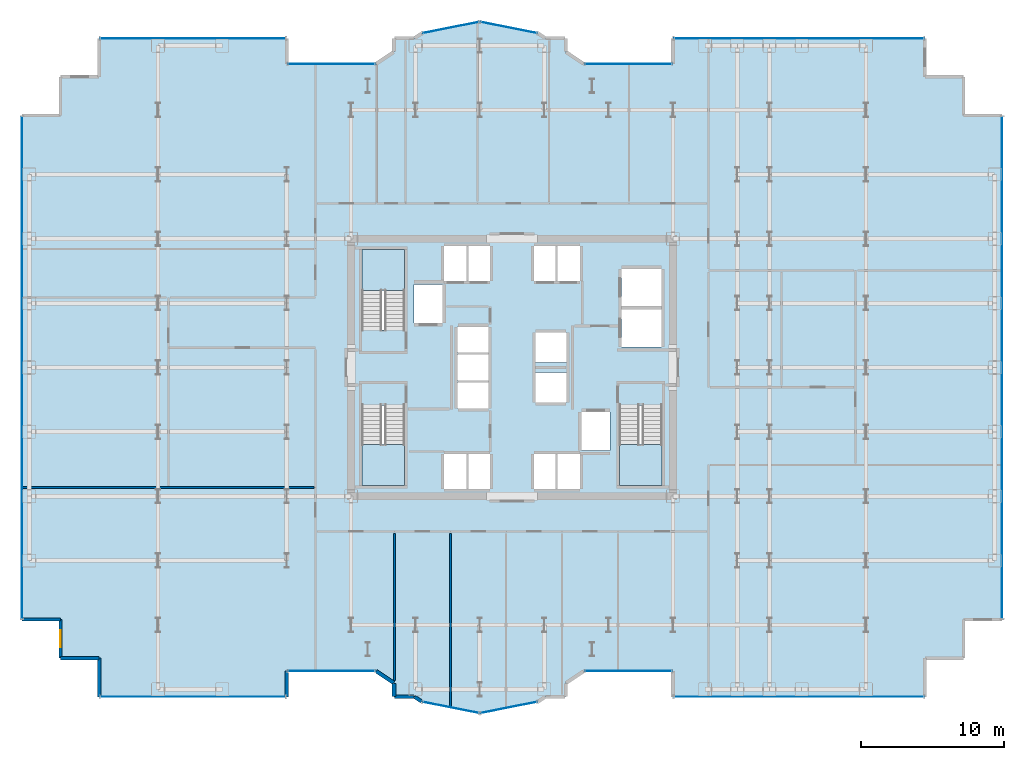
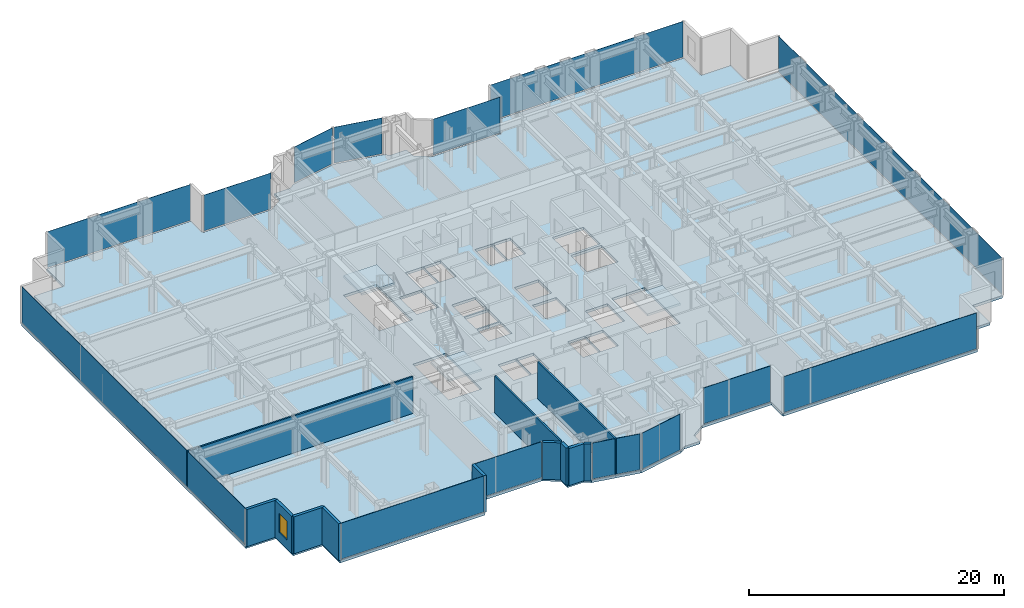
# One storey, part 19 of 25: 14 plates, 12 walls, 4 slabs, 1 window, 1 opening, 17 elements without a shape of their own.
"""IFC4 building model written with IfcOpenShell, lengths in metres."""

from ifc_helpers import new_model, si_unit, direction, frame, frame_2d, origin, origin_2d, place, context, subcontext, project, spatial, polyline, rectangle, outline, extrude, source, transform, mapped, material, layer, layer_set, type_object, element, fill, aggregate, save


model = new_model("IFC4")

# Units and contexts
model_context = context("Model", 3, precision=1e-05, world=origin(), true_north=direction((0.0, 1.0)))
body_context = subcontext(model_context, "Body", "Model", "MODEL_VIEW")
ifc_project = project(units=[si_unit("LENGTHUNIT", "METRE"), si_unit("AREAUNIT", "SQUARE_METRE"), si_unit("VOLUMEUNIT", "CUBIC_METRE"), si_unit("PLANEANGLEUNIT", "RADIAN"), si_unit("MASSUNIT", "GRAM", prefix="KILO")], contexts=[model_context])

# Site, building, storey
site_placement = place(None, origin())
site = spatial("IfcSite", under=ifc_project, at=site_placement, CompositionType="ELEMENT")
building_placement = place(site_placement, origin())
building = spatial("IfcBuilding", under=site, at=building_placement, Name="Nefas-Gora Pilgrimage Tower", CompositionType="ELEMENT")
storey_placement = place(building_placement, frame((0.0, 0.0, 98.39990234375)))
storey = spatial("IfcBuildingStorey", under=building, at=storey_placement, Name="L23", CompositionType="ELEMENT", Elevation=98.39990234375)

# Slab
ifc_material_1 = material(Name="Concrete C40/50", Category="concrete")
ifc_layer_1 = layer(ifc_material_1, 0.25)
ifc_layer_set_1 = layer_set([ifc_layer_1], Name="Concrete C40/50")
slab_type_1 = type_object("IfcSlabType", Name="SLB-TWR-250", PredefinedType="FLOOR", material=ifc_layer_set_1)
slab_1_placement = place(storey_placement, frame((0.0, 0.0, -0.25)))
element("IfcSlab", 1, at=slab_1_placement, inside=storey, type_object=slab_type_1, Name="L23 Structural Floor Slab", PredefinedType="FLOOR", context=body_context, shape_type="SweptSolid", body=[
    extrude(outline(polyline([(5.01806640625, -21.219970703125), (11.25, -21.219970703125), (11.25, -23.02001953125), (28.8701171875, -23.02001953125), (28.8701171875, -20.320068359375), (31.570068359375, -20.320068359375), (31.570068359375, -17.6201171875), (34.27001953125, -17.6201171875), (34.27001953125, 17.6201171875), (31.570068359375, 17.6201171875), (31.570068359375, 20.320068359375), (28.8701171875, 20.320068359375), (28.8701171875, 23.02001953125), (11.25, 23.02001953125), (11.25, 21.219970703125), (5.01806640625, 21.219970703125), (3.75, 22.0673828125), (3.75, 23.02001953125), (2.32421875, 23.02001953125), (1.807373046875, 23.365234375), (-2.25, 24.17236328125), (-6.307373046875, 23.365234375), (-6.82421875, 23.02001953125), (-8.25, 23.02001953125), (-8.25, 22.0673828125), (-9.51806640625, 21.219970703125), (-15.75, 21.219970703125), (-15.75, 23.02001953125), (-28.8701171875, 23.02001953125), (-28.8701171875, 20.320068359375), (-31.570068359375, 20.320068359375), (-31.570068359375, 17.6201171875), (-34.27001953125, 17.6201171875), (-34.27001953125, -17.6201171875), (-31.570068359375, -17.6201171875), (-31.570068359375, -20.320068359375), (-28.8701171875, -20.320068359375), (-28.8701171875, -23.02001953125), (-15.75, -23.02001953125), (-15.75, -21.219970703125), (-9.51806640625, -21.219970703125), (-8.25, -22.0673828125), (-8.25, -23.02001953125), (-6.82421875, -23.02001953125), (-6.307373046875, -23.365234375), (-2.25, -24.17236328125), (1.807373046875, -23.365234375), (2.32421875, -23.02001953125), (3.75, -23.02001953125), (3.75, -22.0673828125), (5.01806640625, -21.219970703125)]), holes=[polyline([(-10.5, 2.639892578125), (-10.5, 8.25), (-7.5, 8.25), (-7.5, 2.639892578125), (-10.5, 2.639892578125)]), polyline([(10.5, -2.639892578125), (10.5, -8.25), (7.5, -8.25), (7.5, -2.639892578125), (10.5, -2.639892578125)]), polyline([(-7.5, -2.639892578125), (-7.5, -8.25), (-10.5, -8.25), (-10.5, -2.639892578125), (-7.5, -2.639892578125)]), polyline([(-6.85009765625, 5.800048828125), (-4.85009765625, 5.800048828125), (-4.85009765625, 3.10009765625), (-6.85009765625, 3.10009765625), (-6.85009765625, 5.800048828125)]), polyline([(4.85009765625, -3.10009765625), (6.85009765625, -3.10009765625), (6.85009765625, -5.800048828125), (4.85009765625, -5.800048828125), (4.85009765625, -3.10009765625)]), polyline([(7.64990234375, 4.050048828125), (10.449951171875, 4.050048828125), (10.449951171875, 1.449951171875), (7.64990234375, 1.449951171875), (7.64990234375, 4.050048828125)]), polyline([(7.64990234375, 6.89990234375), (10.449951171875, 6.89990234375), (10.449951171875, 4.300048828125), (7.64990234375, 4.300048828125), (7.64990234375, 6.89990234375)]), polyline([(-4.75, 8.5), (-3.14990234375, 8.5), (-3.14990234375, 6.050048828125), (-4.75, 6.050048828125), (-4.75, 8.5)]), polyline([(-3.10009765625, 8.5), (-1.550048828125, 8.5), (-1.550048828125, 6.050048828125), (-3.10009765625, 6.050048828125), (-3.10009765625, 8.5)]), polyline([(1.550048828125, 8.5), (3.10009765625, 8.5), (3.10009765625, 6.050048828125), (1.550048828125, 6.050048828125), (1.550048828125, 8.5)]), polyline([(3.14990234375, 8.5), (4.75, 8.5), (4.75, 6.050048828125), (3.14990234375, 6.050048828125), (3.14990234375, 8.5)]), polyline([(-4.75, -6.050048828125), (-3.14990234375, -6.050048828125), (-3.14990234375, -8.5), (-4.75, -8.5), (-4.75, -6.050048828125)]), polyline([(-3.10009765625, -6.050048828125), (-1.550048828125, -6.050048828125), (-1.550048828125, -8.5), (-3.10009765625, -8.5), (-3.10009765625, -6.050048828125)]), polyline([(1.550048828125, -6.050048828125), (3.10009765625, -6.050048828125), (3.10009765625, -8.5), (1.550048828125, -8.5), (1.550048828125, -6.050048828125)]), polyline([(3.14990234375, -6.050048828125), (4.75, -6.050048828125), (4.75, -8.5), (3.14990234375, -8.5), (3.14990234375, -6.050048828125)]), polyline([(-3.800048828125, -1.050048828125), (-1.64990234375, -1.050048828125), (-1.64990234375, -2.85009765625), (-3.800048828125, -2.85009765625), (-3.800048828125, -1.050048828125)]), polyline([(-3.800048828125, 0.89990234375), (-1.64990234375, 0.89990234375), (-1.64990234375, -0.89990234375), (-3.800048828125, -0.89990234375), (-3.800048828125, 0.89990234375)]), polyline([(-3.800048828125, 2.85009765625), (-1.64990234375, 2.85009765625), (-1.64990234375, 1.050048828125), (-3.800048828125, 1.050048828125), (-3.800048828125, 2.85009765625)]), polyline([(1.64990234375, -0.35009765625), (3.800048828125, -0.35009765625), (3.800048828125, -2.449951171875), (1.64990234375, -2.449951171875), (1.64990234375, -0.35009765625)]), polyline([(1.64990234375, 2.449951171875), (3.800048828125, 2.449951171875), (3.800048828125, 0.35009765625), (1.64990234375, 0.35009765625), (1.64990234375, 2.449951171875)])]), origin(), (0.0, 0.0, 1.0), 0.25),
])

# Stair, slab
ifc_material_2 = material(Name="Concrete C45/55", Category="concrete")
stair_type = type_object("IfcStairType", Name="STR-1400-R1727", PredefinedType="HALF_TURN_STAIR", material=ifc_material_2)
stair_1_placement = place(storey_placement, origin())
stair_1 = element("IfcStair", 2, at=stair_1_placement, inside=storey, type_object=stair_type, Name="L23 Pressurised Tower Exit Stair ST-01", PredefinedType="HALF_TURN_STAIR")
ifc_layer_2 = layer(ifc_material_1, 0.199951171875)
ifc_layer_set_2 = layer_set([ifc_layer_2], Name="Concrete C40/50")
slab_type_2 = type_object("IfcSlabType", Name="STR-LAND-200", PredefinedType="LANDING", material=ifc_layer_set_2)
slab_2_placement = place(storey_placement, frame((0.0, 0.0, 1.7001953125)))
slab_2 = element("IfcSlab", 3, at=slab_2_placement, type_object=slab_type_2, Name="ST-01 landing 1", PredefinedType="LANDING", context=body_context, shape_type="SweptSolid", body=[
    extrude(outline(polyline([(-7.5, 5.39990234375), (-7.5, 8.25), (-10.5, 8.25), (-10.5, 5.39990234375), (-7.5, 5.39990234375)])), origin(), (0.0, 0.0, 1.0), 0.199951171875),
])
aggregate(stair_1, [slab_2])

stair_2_placement = place(storey_placement, origin())
stair_2 = element("IfcStair", 4, at=stair_2_placement, inside=storey, type_object=stair_type, Name="L23 Pressurised Tower Exit Stair ST-02", PredefinedType="HALF_TURN_STAIR")
slab_3_placement = place(storey_placement, frame((0.0, 0.0, 1.7001953125)))
slab_3 = element("IfcSlab", 5, at=slab_3_placement, type_object=slab_type_2, Name="ST-02 landing 1", PredefinedType="LANDING", context=body_context, shape_type="SweptSolid", body=[
    extrude(outline(polyline([(7.5, -5.39990234375), (7.5, -8.25), (10.5, -8.25), (10.5, -5.39990234375), (7.5, -5.39990234375)])), origin(), (0.0, 0.0, 1.0), 0.199951171875),
])
aggregate(stair_2, [slab_3])

stair_3_placement = place(storey_placement, origin())
stair_3 = element("IfcStair", 6, at=stair_3_placement, inside=storey, type_object=stair_type, Name="L23 Pressurised Tower Exit Stair ST-03", PredefinedType="HALF_TURN_STAIR")
slab_4_placement = place(storey_placement, frame((0.0, 0.0, 1.7001953125)))
slab_4 = element("IfcSlab", 7, at=slab_4_placement, type_object=slab_type_2, Name="ST-03 landing 1", PredefinedType="LANDING", context=body_context, shape_type="SweptSolid", body=[
    extrude(outline(polyline([(-10.5, -5.39990234375), (-10.5, -8.25), (-7.5, -8.25), (-7.5, -5.39990234375), (-10.5, -5.39990234375)])), origin(), (0.0, 0.0, 1.0), 0.199951171875),
])
aggregate(stair_3, [slab_4])

# Curtain wall, plate
ifc_material_3 = material(Name="Dark ceramic-fritted solar-control aluminium-glass curtain wall", Category="aluminium")
ifc_layer_3 = layer(ifc_material_3, 0.219970703125)
ifc_layer_set_3 = layer_set([ifc_layer_3], Name="Dark ceramic-fritted solar-control aluminium-glass curtain wall")
curtain_wall_type_1 = type_object("IfcCurtainWallType", Name="CW-SYS-5", PredefinedType="NOTDEFINED", material=ifc_layer_set_3)
curtain_wall_1_placement = place(storey_placement, origin())
curtain_wall_1 = element("IfcCurtainWall", 8, at=curtain_wall_1_placement, inside=storey, type_object=curtain_wall_type_1, Name="L23 Unitised Curtain Wall CW5", PredefinedType="NOTDEFINED")
ifc_material_4 = material(Name="Dark ceramic-printed low-e insulated glass", Category="glass")
ifc_layer_4 = layer(ifc_material_4, 0.028076171875)
ifc_layer_set_4 = layer_set([ifc_layer_4], Name="Dark ceramic-printed low-e insulated glass")
plate_type_1 = type_object("IfcPlateType", Name="CWP-PNL-5", PredefinedType="CURTAIN_PANEL", material=ifc_layer_set_4)
shared_shape_1 = source(origin(), body_context, "Body", "SweptSolid", [
    extrude(rectangle(XDim=6.052001953125, YDim=0.028076171875, at=origin_2d()), origin(), (0.0, 0.0, 1.0), 3.43994140625),
])
plate_1_placement = place(storey_placement, frame((8.134033203125, -21.219970703125, 0.10009765625), z_axis=(0.0, 0.0, 1.0), x_axis=(1.0, 0.0, 0.0)))
plate_1 = element("IfcPlate", 9, at=plate_1_placement, type_object=plate_type_1, Name="CW5 Ceramic-Fritted Glazing Panel 1", PredefinedType="CURTAIN_PANEL", context=body_context, shape_type="MappedRepresentation", body=[
    mapped(shared_shape_1, transform((0.0, 0.0, 0.0), x_axis=(1.0, 0.0, 0.0), y_axis=(0.0, 1.0, 0.0), z_axis=(0.0, 0.0, 1.0), scale=1.0)),
])
aggregate(curtain_wall_1, [plate_1])

curtain_wall_2_placement = place(storey_placement, origin())
curtain_wall_2 = element("IfcCurtainWall", 10, at=curtain_wall_2_placement, inside=storey, type_object=curtain_wall_type_1, Name="L23 Unitised Curtain Wall CW5", PredefinedType="NOTDEFINED")
plate_2_placement = place(storey_placement, frame((8.134033203125, 21.219970703125, 0.10009765625), z_axis=(0.0, 0.0, 1.0), x_axis=(-1.0, 0.0, 0.0)))
plate_2 = element("IfcPlate", 11, at=plate_2_placement, type_object=plate_type_1, Name="CW5 Ceramic-Fritted Glazing Panel 1", PredefinedType="CURTAIN_PANEL", context=body_context, shape_type="MappedRepresentation", body=[
    mapped(shared_shape_1, transform((0.0, 0.0, 0.0), x_axis=(1.0, 0.0, 0.0), y_axis=(0.0, 1.0, 0.0), z_axis=(0.0, 0.0, 1.0), scale=1.0)),
])
aggregate(curtain_wall_2, [plate_2])

curtain_wall_3_placement = place(storey_placement, origin())
curtain_wall_3 = element("IfcCurtainWall", 12, at=curtain_wall_3_placement, inside=storey, type_object=curtain_wall_type_1, Name="L23 Unitised Curtain Wall CW5", PredefinedType="NOTDEFINED")
plate_3_placement = place(storey_placement, frame((-12.634033203125, 21.219970703125, 0.10009765625), z_axis=(0.0, 0.0, 1.0), x_axis=(-1.0, 0.0, 0.0)))
plate_3 = element("IfcPlate", 13, at=plate_3_placement, type_object=plate_type_1, Name="CW5 Ceramic-Fritted Glazing Panel 1", PredefinedType="CURTAIN_PANEL", context=body_context, shape_type="MappedRepresentation", body=[
    mapped(shared_shape_1, transform((0.0, 0.0, 0.0), x_axis=(1.0, 0.0, 0.0), y_axis=(0.0, 1.0, 0.0), z_axis=(0.0, 0.0, 1.0), scale=1.0)),
])
aggregate(curtain_wall_3, [plate_3])

curtain_wall_4_placement = place(storey_placement, origin())
curtain_wall_4 = element("IfcCurtainWall", 14, at=curtain_wall_4_placement, inside=storey, type_object=curtain_wall_type_1, Name="L23 Unitised Curtain Wall CW5", PredefinedType="NOTDEFINED")
plate_4_placement = place(storey_placement, frame((-12.634033203125, -21.219970703125, 0.10009765625), z_axis=(0.0, 0.0, 1.0), x_axis=(1.0, 0.0, 0.0)))
plate_4 = element("IfcPlate", 15, at=plate_4_placement, type_object=plate_type_1, Name="CW5 Ceramic-Fritted Glazing Panel 1", PredefinedType="CURTAIN_PANEL", context=body_context, shape_type="MappedRepresentation", body=[
    mapped(shared_shape_1, transform((0.0, 0.0, 0.0), x_axis=(1.0, 0.0, 0.0), y_axis=(0.0, 1.0, 0.0), z_axis=(0.0, 0.0, 1.0), scale=1.0)),
])
aggregate(curtain_wall_4, [plate_4])

ifc_layer_5 = layer(ifc_material_3, 0.219970703125)
ifc_layer_set_5 = layer_set([ifc_layer_5], Name="Dark ceramic-fritted solar-control aluminium-glass curtain wall")
curtain_wall_type_2 = type_object("IfcCurtainWallType", Name="CW-SYS-2", PredefinedType="NOTDEFINED", material=ifc_layer_set_5)
curtain_wall_5_placement = place(storey_placement, origin())
curtain_wall_5 = element("IfcCurtainWall", 16, at=curtain_wall_5_placement, inside=storey, type_object=curtain_wall_type_2, Name="L23 Unitised Curtain Wall CW2", PredefinedType="NOTDEFINED")
ifc_layer_6 = layer(ifc_material_4, 0.031982421875)
ifc_layer_set_6 = layer_set([ifc_layer_6], Name="Dark ceramic-printed low-e insulated glass")
plate_type_2 = type_object("IfcPlateType", Name="CWP-PNL-2", PredefinedType="CURTAIN_PANEL", material=ifc_layer_set_6)
shared_shape_2 = source(origin(), body_context, "Body", "SweptSolid", [
    extrude(rectangle(XDim=17.43994140625, YDim=0.031982421875, at=origin_2d()), origin(), (0.0, 0.0, 1.0), 3.43994140625),
])
plate_5_placement = place(storey_placement, frame((20.06005859375, -23.02001953125, 0.10009765625), z_axis=(0.0, 0.0, 1.0), x_axis=(1.0, 0.0, 0.0)))
plate_5 = element("IfcPlate", 17, at=plate_5_placement, type_object=plate_type_2, Name="CW2 Ceramic-Fritted Glazing Panel 1", PredefinedType="CURTAIN_PANEL", context=body_context, shape_type="MappedRepresentation", body=[
    mapped(shared_shape_2, transform((0.0, 0.0, 0.0), x_axis=(1.0, 0.0, 0.0), y_axis=(0.0, 1.0, 0.0), z_axis=(0.0, 0.0, 1.0), scale=1.0)),
])
aggregate(curtain_wall_5, [plate_5])

curtain_wall_6_placement = place(storey_placement, origin())
curtain_wall_6 = element("IfcCurtainWall", 18, at=curtain_wall_6_placement, inside=storey, type_object=curtain_wall_type_2, Name="L23 Unitised Curtain Wall CW2", PredefinedType="NOTDEFINED")
plate_6_placement = place(storey_placement, frame((20.06005859375, 23.02001953125, 0.10009765625), z_axis=(0.0, 0.0, 1.0), x_axis=(-1.0, 0.0, 0.0)))
plate_6 = element("IfcPlate", 19, at=plate_6_placement, type_object=plate_type_2, Name="CW2 Ceramic-Fritted Glazing Panel 1", PredefinedType="CURTAIN_PANEL", context=body_context, shape_type="MappedRepresentation", body=[
    mapped(shared_shape_2, transform((0.0, 0.0, 0.0), x_axis=(1.0, 0.0, 0.0), y_axis=(0.0, 1.0, 0.0), z_axis=(0.0, 0.0, 1.0), scale=1.0)),
])
aggregate(curtain_wall_6, [plate_6])

curtain_wall_7_placement = place(storey_placement, origin())
curtain_wall_7 = element("IfcCurtainWall", 20, at=curtain_wall_7_placement, inside=storey, type_object=curtain_wall_type_1, Name="L23 Unitised Curtain Wall CW5", PredefinedType="NOTDEFINED")
shared_shape_3 = source(origin(), body_context, "Body", "SweptSolid", [
    extrude(rectangle(XDim=3.956787109375, YDim=0.028076171875, at=origin_2d()), origin(), (0.0, 0.0, 1.0), 3.43994140625),
])
plate_7_placement = place(storey_placement, frame((-0.22119140625, 23.768798828125, 0.10009765625), z_axis=(0.0, 0.0, 1.0), x_axis=(-0.980782896852, 0.195102304554, 0.0)))
plate_7 = element("IfcPlate", 21, at=plate_7_placement, type_object=plate_type_1, Name="CW5 Ceramic-Fritted Glazing Panel 1", PredefinedType="CURTAIN_PANEL", context=body_context, shape_type="MappedRepresentation", body=[
    mapped(shared_shape_3, transform((0.0, 0.0, 0.0), x_axis=(1.0, 0.0, 0.0), y_axis=(0.0, 1.0, 0.0), z_axis=(0.0, 0.0, 1.0), scale=1.0)),
])
aggregate(curtain_wall_7, [plate_7])

curtain_wall_8_placement = place(storey_placement, origin())
curtain_wall_8 = element("IfcCurtainWall", 22, at=curtain_wall_8_placement, inside=storey, type_object=curtain_wall_type_1, Name="L23 Unitised Curtain Wall CW5", PredefinedType="NOTDEFINED")
plate_8_placement = place(storey_placement, frame((-4.278564453125, 23.768798828125, 0.10009765625), z_axis=(0.0, 0.0, 1.0), x_axis=(-0.980782896852, -0.195102304554, 0.0)))
plate_8 = element("IfcPlate", 23, at=plate_8_placement, type_object=plate_type_1, Name="CW5 Ceramic-Fritted Glazing Panel 1", PredefinedType="CURTAIN_PANEL", context=body_context, shape_type="MappedRepresentation", body=[
    mapped(shared_shape_3, transform((0.0, 0.0, 0.0), x_axis=(1.0, 0.0, 0.0), y_axis=(0.0, 1.0, 0.0), z_axis=(0.0, 0.0, 1.0), scale=1.0)),
])
aggregate(curtain_wall_8, [plate_8])

curtain_wall_9_placement = place(storey_placement, origin())
curtain_wall_9 = element("IfcCurtainWall", 24, at=curtain_wall_9_placement, inside=storey, type_object=curtain_wall_type_1, Name="L23 Unitised Curtain Wall CW5", PredefinedType="NOTDEFINED")
plate_9_placement = place(storey_placement, frame((-4.278564453125, -23.768798828125, 0.10009765625), z_axis=(0.0, 0.0, 1.0), x_axis=(0.980782896852, -0.195102304554, 0.0)))
plate_9 = element("IfcPlate", 25, at=plate_9_placement, type_object=plate_type_1, Name="CW5 Ceramic-Fritted Glazing Panel 1", PredefinedType="CURTAIN_PANEL", context=body_context, shape_type="MappedRepresentation", body=[
    mapped(shared_shape_3, transform((0.0, 0.0, 0.0), x_axis=(1.0, 0.0, 0.0), y_axis=(0.0, 1.0, 0.0), z_axis=(0.0, 0.0, 1.0), scale=1.0)),
])
aggregate(curtain_wall_9, [plate_9])

curtain_wall_10_placement = place(storey_placement, origin())
curtain_wall_10 = element("IfcCurtainWall", 26, at=curtain_wall_10_placement, inside=storey, type_object=curtain_wall_type_1, Name="L23 Unitised Curtain Wall CW5", PredefinedType="NOTDEFINED")
plate_10_placement = place(storey_placement, frame((-0.221435546875, -23.768798828125, 0.10009765625), z_axis=(0.0, 0.0, 1.0), x_axis=(0.980782896852, 0.195102304554, 0.0)))
plate_10 = element("IfcPlate", 27, at=plate_10_placement, type_object=plate_type_1, Name="CW5 Ceramic-Fritted Glazing Panel 1", PredefinedType="CURTAIN_PANEL", context=body_context, shape_type="MappedRepresentation", body=[
    mapped(shared_shape_3, transform((0.0, 0.0, 0.0), x_axis=(1.0, 0.0, 0.0), y_axis=(0.0, 1.0, 0.0), z_axis=(0.0, 0.0, 1.0), scale=1.0)),
])
aggregate(curtain_wall_10, [plate_10])

curtain_wall_11_placement = place(storey_placement, origin())
curtain_wall_11 = element("IfcCurtainWall", 28, at=curtain_wall_11_placement, inside=storey, type_object=curtain_wall_type_2, Name="L23 Unitised Curtain Wall CW2", PredefinedType="NOTDEFINED")
shared_shape_4 = source(origin(), body_context, "Body", "SweptSolid", [
    extrude(rectangle(XDim=12.93994140625, YDim=0.031982421875, at=origin_2d()), origin(), (0.0, 0.0, 1.0), 3.43994140625),
])
plate_11_placement = place(storey_placement, frame((-22.31005859375, 23.02001953125, 0.10009765625), z_axis=(0.0, 0.0, 1.0), x_axis=(-1.0, 0.0, 0.0)))
plate_11 = element("IfcPlate", 29, at=plate_11_placement, type_object=plate_type_2, Name="CW2 Ceramic-Fritted Glazing Panel 1", PredefinedType="CURTAIN_PANEL", context=body_context, shape_type="MappedRepresentation", body=[
    mapped(shared_shape_4, transform((0.0, 0.0, 0.0), x_axis=(1.0, 0.0, 0.0), y_axis=(0.0, 1.0, 0.0), z_axis=(0.0, 0.0, 1.0), scale=1.0)),
])
aggregate(curtain_wall_11, [plate_11])

curtain_wall_12_placement = place(storey_placement, origin())
curtain_wall_12 = element("IfcCurtainWall", 30, at=curtain_wall_12_placement, inside=storey, type_object=curtain_wall_type_2, Name="L23 Unitised Curtain Wall CW2", PredefinedType="NOTDEFINED")
plate_12_placement = place(storey_placement, frame((-22.31005859375, -23.02001953125, 0.10009765625), z_axis=(0.0, 0.0, 1.0), x_axis=(1.0, 0.0, 0.0)))
plate_12 = element("IfcPlate", 31, at=plate_12_placement, type_object=plate_type_2, Name="CW2 Ceramic-Fritted Glazing Panel 1", PredefinedType="CURTAIN_PANEL", context=body_context, shape_type="MappedRepresentation", body=[
    mapped(shared_shape_4, transform((0.0, 0.0, 0.0), x_axis=(1.0, 0.0, 0.0), y_axis=(0.0, 1.0, 0.0), z_axis=(0.0, 0.0, 1.0), scale=1.0)),
])
aggregate(curtain_wall_12, [plate_12])

curtain_wall_13_placement = place(storey_placement, origin())
curtain_wall_13 = element("IfcCurtainWall", 32, at=curtain_wall_13_placement, inside=storey, type_object=curtain_wall_type_2, Name="L23 Unitised Curtain Wall CW2", PredefinedType="NOTDEFINED")
shared_shape_5 = source(origin(), body_context, "Body", "SweptSolid", [
    extrude(rectangle(XDim=35.06005859375, YDim=0.031982421875, at=origin_2d()), origin(), (0.0, 0.0, 1.0), 3.43994140625),
])
plate_13_placement = place(storey_placement, frame((34.27001953125, 0.0, 0.10009765625), z_axis=(0.0, 0.0, 1.0), x_axis=(0.0, 1.0, 0.0)))
plate_13 = element("IfcPlate", 33, at=plate_13_placement, type_object=plate_type_2, Name="CW2 Ceramic-Fritted Glazing Panel 1", PredefinedType="CURTAIN_PANEL", context=body_context, shape_type="MappedRepresentation", body=[
    mapped(shared_shape_5, transform((0.0, 0.0, 0.0), x_axis=(1.0, 0.0, 0.0), y_axis=(0.0, 1.0, 0.0), z_axis=(0.0, 0.0, 1.0), scale=1.0)),
])
aggregate(curtain_wall_13, [plate_13])

curtain_wall_14_placement = place(storey_placement, origin())
curtain_wall_14 = element("IfcCurtainWall", 34, at=curtain_wall_14_placement, inside=storey, type_object=curtain_wall_type_2, Name="L23 Unitised Curtain Wall CW2", PredefinedType="NOTDEFINED")
plate_14_placement = place(storey_placement, frame((-34.27001953125, 0.0, 0.10009765625), z_axis=(0.0, 0.0, 1.0), x_axis=(0.0, -1.0, 0.0)))
plate_14 = element("IfcPlate", 35, at=plate_14_placement, type_object=plate_type_2, Name="CW2 Ceramic-Fritted Glazing Panel 1", PredefinedType="CURTAIN_PANEL", context=body_context, shape_type="MappedRepresentation", body=[
    mapped(shared_shape_5, transform((0.0, 0.0, 0.0), x_axis=(1.0, 0.0, 0.0), y_axis=(0.0, 1.0, 0.0), z_axis=(0.0, 0.0, 1.0), scale=1.0)),
])
aggregate(curtain_wall_14, [plate_14])

# Walls
ifc_material_5 = material(Name="Precast concrete C40/50", Category="concrete")
ifc_layer_7 = layer(ifc_material_5, 0.260009765625)
ifc_layer_set_7 = layer_set([ifc_layer_7], Name="Precast concrete C40/50")
wall_type_1 = type_object("IfcWallType", Name="EW-PORTAL-260", PredefinedType="SOLIDWALL", material=ifc_layer_set_7)
shared_shape_6 = source(origin(), body_context, "Body", "SweptSolid", [
    extrude(rectangle(XDim=1.800048828125, YDim=0.260009765625, at=frame_2d((0.89990234375, 0.0))), origin(), (0.0, 0.0, 1.0), 3.550048828125),
])
wall_1_placement = place(storey_placement, frame((-15.75, -23.02001953125, 0.0), z_axis=(0.0, 0.0, 1.0), x_axis=(0.0, 1.0, 0.0)))
element("IfcWall", 36, at=wall_1_placement, inside=storey, type_object=wall_type_1, Name="L23 Lobe Shoulder Precast Spandrel Pier 28", PredefinedType="SOLIDWALL", context=body_context, shape_type="MappedRepresentation", body=[
    mapped(shared_shape_6, transform((0.0, 0.0, 0.0), x_axis=(1.0, 0.0, 0.0), y_axis=(0.0, 1.0, 0.0), z_axis=(0.0, 0.0, 1.0), scale=1.0)),
])
ifc_material_6 = material(Name="Precast concrete C45/55", Category="concrete")
ifc_layer_8 = layer(ifc_material_6, 0.239990234375)
ifc_layer_set_8 = layer_set([ifc_layer_8], Name="Precast concrete C45/55")
wall_type_2 = type_object("IfcWallType", Name="EW-SERR-240", PredefinedType="SHEAR", material=ifc_layer_set_8)
shared_shape_7 = source(origin(), body_context, "Body", "SweptSolid", [
    extrude(rectangle(XDim=2.699951171875, YDim=0.239990234375, at=frame_2d((1.35009765625, 0.0))), origin(), (0.0, 0.0, 1.0), 3.550048828125),
])
wall_2_placement = place(storey_placement, frame((-34.27001953125, -17.6201171875, 0.0), z_axis=(0.0, 0.0, 1.0), x_axis=(1.0, 0.0, 0.0)))
element("IfcWall", 37, at=wall_2_placement, inside=storey, type_object=wall_type_2, Name="L23 Serrated Corner Shear Pier Wall 24", PredefinedType="SHEAR", context=body_context, shape_type="MappedRepresentation", body=[
    mapped(shared_shape_7, transform((0.0, 0.0, 0.0), x_axis=(1.0, 0.0, 0.0), y_axis=(0.0, 1.0, 0.0), z_axis=(0.0, 0.0, 1.0), scale=1.0)),
])

# Wall, opening, window
wall_3_placement = place(storey_placement, frame((-31.570068359375, -17.6201171875, 0.0), z_axis=(0.0, 0.0, 1.0), x_axis=(0.0, -1.0, 0.0)))
wall_3 = element("IfcWall", 38, at=wall_3_placement, inside=storey, type_object=wall_type_2, Name="L23 Serrated Corner Shear Pier Wall 25", PredefinedType="SHEAR", context=body_context, shape_type="MappedRepresentation", body=[
    mapped(shared_shape_7, transform((0.0, 0.0, 0.0), x_axis=(1.0, 0.0, 0.0), y_axis=(0.0, 1.0, 0.0), z_axis=(0.0, 0.0, 1.0), scale=1.0)),
])
opening_placement = place(wall_3_placement, frame((0.75, 0.0, 0.85009765625)))
opening = element("IfcOpeningElement", 39, at=opening_placement, cuts=wall_3, Name="Opening W-V1", PredefinedType="OPENING", context=body_context, shape_type="SweptSolid", body=[
    extrude(rectangle(XDim=1.199951171875, YDim=1.800048828125, at=frame_2d((0.60009765625, 0.89990234375))), frame((0.0, 0.1298828125, 0.0), z_axis=(0.0, -1.0, 0.0), x_axis=(1.0, 0.0, 0.0)), (0.0, 0.0, 1.0), 0.260009765625),
])
ifc_material_7 = material(Name="Dark ceramic-fritted operable aluminium-glass window", Category="aluminium")
window_type = type_object("IfcWindowType", Name="WIN-VENT-1200x1800", PartitioningType="SINGLE_PANEL", PredefinedType="WINDOW", material=ifc_material_7)
shared_shape_8 = source(origin(), body_context, "Body", "SweptSolid", [
    extrude(rectangle(XDim=1.199951171875, YDim=1.800048828125, at=frame_2d((0.60009765625, 0.89990234375))), frame((0.0, 0.030029296875, 0.0), z_axis=(0.0, -1.0, 0.0), x_axis=(1.0, 0.0, 0.0)), (0.0, 0.0, 1.0), 0.06005859375),
])
window_placement = place(opening_placement, origin())
window = element("IfcWindow", 40, at=window_placement, inside=storey, type_object=window_type, Name="L23 Operable Parallel-Outswing Window 25", OverallHeight=1.800048828125, OverallWidth=1.199951171875, PartitioningType="SINGLE_PANEL", PredefinedType="WINDOW", context=body_context, shape_type="MappedRepresentation", body=[
    mapped(shared_shape_8, transform((0.0, 0.0, 0.0), x_axis=(1.0, 0.0, 0.0), y_axis=(0.0, 1.0, 0.0), z_axis=(0.0, 0.0, 1.0), scale=1.0)),
])
fill(opening, window)

# Walls
for number, where, z_axis, x_axis, name in (
    (41, (-31.570068359375, -20.320068359375, 0.0), (0.0, 0.0, 1.0), (1.0, 0.0, 0.0), "L23 Serrated Corner Shear Pier Wall 26"),
    (42, (-28.8701171875, -20.320068359375, 0.0), (0.0, 0.0, 1.0), (0.0, -1.0, 0.0), "L23 Serrated Corner Shear Pier Wall 27"),
):
    element("IfcWall", number, at=place(storey_placement, frame(where, z_axis=z_axis, x_axis=x_axis)), inside=storey, type_object=wall_type_2, Name=name, PredefinedType="SHEAR", context=body_context, shape_type="MappedRepresentation", body=[
        mapped(shared_shape_7, transform((0.0, 0.0, 0.0), x_axis=(1.0, 0.0, 0.0), y_axis=(0.0, 1.0, 0.0), z_axis=(0.0, 0.0, 1.0), scale=1.0)),
    ])
shared_shape_9 = source(origin(), body_context, "Body", "SweptSolid", [
    extrude(rectangle(XDim=1.468994140625, YDim=0.260009765625, at=frame_2d((0.734375, 0.0))), origin(), (0.0, 0.0, 1.0), 3.550048828125),
])
wall_4_placement = place(storey_placement, frame((-9.49462890625, -21.235595703125, 0.0), z_axis=(0.0, 0.0, 1.0), x_axis=(0.831461760506, -0.555581983884, 0.0)))
element("IfcWall", 43, at=wall_4_placement, inside=storey, type_object=wall_type_1, Name="L23 Lobe Shoulder Precast Spandrel Pier 29", PredefinedType="SOLIDWALL", context=body_context, shape_type="MappedRepresentation", body=[
    mapped(shared_shape_9, transform((0.0, 0.0, 0.0), x_axis=(1.0, 0.0, 0.0), y_axis=(0.0, 1.0, 0.0), z_axis=(0.0, 0.0, 1.0), scale=1.0)),
])
shared_shape_10 = source(origin(), body_context, "Body", "SweptSolid", [
    extrude(rectangle(XDim=0.896728515625, YDim=0.260009765625, at=frame_2d((0.4482421875, 0.0))), origin(), (0.0, 0.0, 1.0), 3.550048828125),
])
wall_5_placement = place(storey_placement, frame((-8.25, -22.09521484375, 0.0), z_axis=(0.0, 0.0, 1.0), x_axis=(0.0, -1.0, 0.0)))
element("IfcWall", 44, at=wall_5_placement, inside=storey, type_object=wall_type_1, Name="L23 Lobe Shoulder Precast Spandrel Pier 30", PredefinedType="SOLIDWALL", context=body_context, shape_type="MappedRepresentation", body=[
    mapped(shared_shape_10, transform((0.0, 0.0, 0.0), x_axis=(1.0, 0.0, 0.0), y_axis=(0.0, 1.0, 0.0), z_axis=(0.0, 0.0, 1.0), scale=1.0)),
])
shared_shape_11 = source(origin(), body_context, "Body", "SweptSolid", [
    extrude(rectangle(XDim=1.369873046875, YDim=0.260009765625, at=frame_2d((0.68505859375, 0.0))), origin(), (0.0, 0.0, 1.0), 3.550048828125),
])
wall_6_placement = place(storey_placement, frame((-8.221923828125, -23.02001953125, 0.0), z_axis=(0.0, 0.0, 1.0), x_axis=(1.0, 0.0, 0.0)))
element("IfcWall", 45, at=wall_6_placement, inside=storey, type_object=wall_type_1, Name="L23 Lobe Shoulder Precast Spandrel Pier 31", PredefinedType="SOLIDWALL", context=body_context, shape_type="MappedRepresentation", body=[
    mapped(shared_shape_11, transform((0.0, 0.0, 0.0), x_axis=(1.0, 0.0, 0.0), y_axis=(0.0, 1.0, 0.0), z_axis=(0.0, 0.0, 1.0), scale=1.0)),
])
shared_shape_12 = source(origin(), body_context, "Body", "SweptSolid", [
    extrude(rectangle(XDim=0.5654296875, YDim=0.260009765625, at=frame_2d((0.28271484375, 0.0))), origin(), (0.0, 0.0, 1.0), 3.550048828125),
])
wall_7_placement = place(storey_placement, frame((-6.80078125, -23.03564453125, 0.0), z_axis=(0.0, 0.0, 1.0), x_axis=(0.831651492666, -0.555297933317, 0.0)))
element("IfcWall", 46, at=wall_7_placement, inside=storey, type_object=wall_type_1, Name="L23 Lobe Shoulder Precast Spandrel Pier 32", PredefinedType="SOLIDWALL", context=body_context, shape_type="MappedRepresentation", body=[
    mapped(shared_shape_12, transform((0.0, 0.0, 0.0), x_axis=(1.0, 0.0, 0.0), y_axis=(0.0, 1.0, 0.0), z_axis=(0.0, 0.0, 1.0), scale=1.0)),
])
ifc_material_8 = material(Name="Gypsum twin-stud partition")
ifc_layer_9 = layer(ifc_material_8, 0.139892578125)
ifc_layer_set_9 = layer_set([ifc_layer_9], Name="Gypsum twin-stud partition")
wall_type_3 = type_object("IfcWallType", Name="IW-UNIT-140", PredefinedType="PARTITIONING", material=ifc_layer_set_9)
shared_shape_13 = source(origin(), body_context, "Body", "SweptSolid", [
    extrude(rectangle(XDim=20.429931640625, YDim=0.139892578125, at=frame_2d((10.21484375, 0.0))), origin(), (0.0, 0.0, 1.0), 3.53515625),
])
wall_8_placement = place(storey_placement, frame((-34.2900390625, -8.405029296875, 0.0), z_axis=(0.0, 0.0, 1.0), x_axis=(1.0, 0.0, 0.0)))
element("IfcWall", 47, at=wall_8_placement, inside=storey, type_object=wall_type_3, Name="L23 Pilgrim Tea and Beverage Pantry Partition Wall 24", PredefinedType="PARTITIONING", context=body_context, shape_type="MappedRepresentation", body=[
    mapped(shared_shape_13, transform((0.0, 0.0, 0.0), x_axis=(1.0, 0.0, 0.0), y_axis=(0.0, 1.0, 0.0), z_axis=(0.0, 0.0, 1.0), scale=1.0)),
])
shared_shape_14 = source(origin(), body_context, "Body", "SweptSolid", [
    extrude(rectangle(XDim=10.30517578125, YDim=0.139892578125, at=frame_2d((5.152587890625, 0.0))), origin(), (0.0, 0.0, 1.0), 3.53515625),
])
wall_9_placement = place(storey_placement, frame((-8.205078125, -21.895263671875, 0.0), z_axis=(0.0, 0.0, 1.0), x_axis=(0.0, 1.0, 0.0)))
element("IfcWall", 48, at=wall_9_placement, inside=storey, type_object=wall_type_3, Name="L23 Pilgrim Contemplative Lounge Partition Wall 52", PredefinedType="PARTITIONING", context=body_context, shape_type="MappedRepresentation", body=[
    mapped(shared_shape_14, transform((0.0, 0.0, 0.0), x_axis=(1.0, 0.0, 0.0), y_axis=(0.0, 1.0, 0.0), z_axis=(0.0, 0.0, 1.0), scale=1.0)),
])
shared_shape_15 = source(origin(), body_context, "Body", "SweptSolid", [
    extrude(rectangle(XDim=12.197021484375, YDim=0.139892578125, at=frame_2d((6.0986328125, 0.0))), origin(), (0.0, 0.0, 1.0), 3.53515625),
])
wall_10_placement = place(storey_placement, frame((-4.31005859375, -23.787109375, 0.0), z_axis=(0.0, 0.0, 1.0), x_axis=(0.0, 1.0, 0.0)))
element("IfcWall", 49, at=wall_10_placement, inside=storey, type_object=wall_type_3, Name="L23 Pilgrim Contemplative Lounge Partition Wall 54", PredefinedType="PARTITIONING", context=body_context, shape_type="MappedRepresentation", body=[
    mapped(shared_shape_15, transform((0.0, 0.0, 0.0), x_axis=(1.0, 0.0, 0.0), y_axis=(0.0, 1.0, 0.0), z_axis=(0.0, 0.0, 1.0), scale=1.0)),
])

save(model, "model.ifc")
